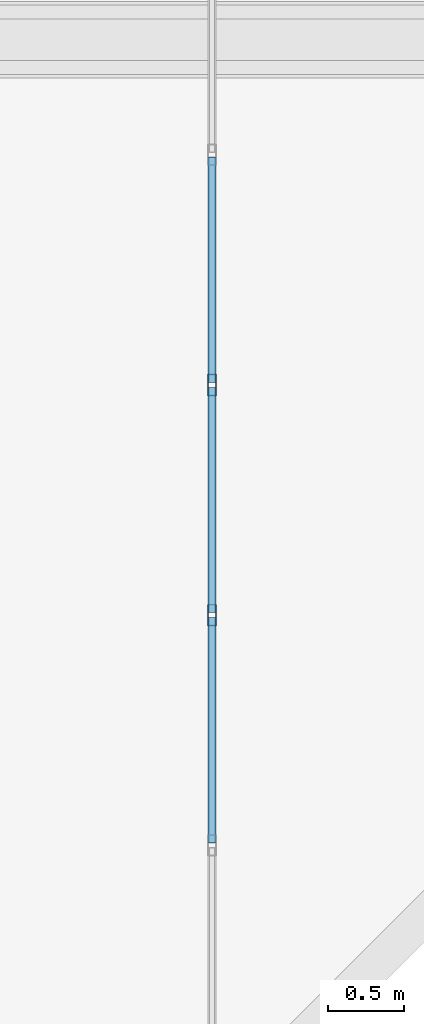
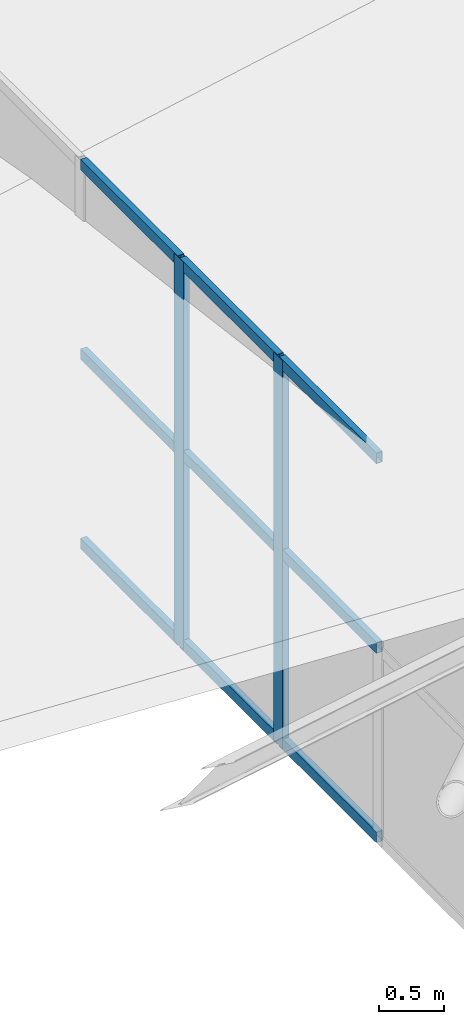
# One storey, part 216 of 397: 11 members, 1 element without a shape of its own.
"""IFC4 building model written with IfcOpenShell, lengths in metres."""

from ifc_helpers import new_model, si_unit, direction, frame, origin, origin_2d, place, context, subcontext, project, spatial, hollow_rectangle, extrude, material, material_profile, profile_set, type_object, element, aggregate, save


model = new_model("IFC4")

# Units and contexts
model_context = context("Model", 3, precision=1e-05, world=origin(), true_north=direction((0.0, 1.0)))
body_context = subcontext(model_context, "Body", "Model", "MODEL_VIEW")
ifc_project = project(units=[si_unit("LENGTHUNIT", "METRE"), si_unit("AREAUNIT", "SQUARE_METRE"), si_unit("VOLUMEUNIT", "CUBIC_METRE"), si_unit("PLANEANGLEUNIT", "RADIAN"), si_unit("MASSUNIT", "GRAM", prefix="KILO")], contexts=[model_context])

# Site, building, storey
site_placement = place(None, origin())
site = spatial("IfcSite", under=ifc_project, at=site_placement, CompositionType="ELEMENT")
building_placement = place(site_placement, origin())
building = spatial("IfcBuilding", under=site, at=building_placement, Name="Qandorah Velis Arena", CompositionType="ELEMENT")
storey_placement = place(building_placement, frame((0.0, 0.0, 27.5)))
storey = spatial("IfcBuildingStorey", under=building, at=storey_placement, Name="RF", CompositionType="ELEMENT", Elevation=27.5)

# Curtain wall, members
ifc_material_1 = material(Name="Solar-control low-E double glazing", Category="glass")
curtain_wall_type = type_object("IfcCurtainWallType", Name="ARC-CW-SYS12", PredefinedType="USERDEFINED", material=ifc_material_1)
curtain_wall_placement = place(storey_placement, origin())
curtain_wall = element("IfcCurtainWall", 1, at=curtain_wall_placement, inside=storey, type_object=curtain_wall_type, Name="Unitised curtain wall MON-1-6", ObjectType="UNITISED CURTAIN WALL", PredefinedType="USERDEFINED")
ifc_material_2 = material(Name="Champagne-bronze anodized aluminium 6063-T6", Category="aluminium")
ifc_material_profile_1 = material_profile(ifc_material_2, hollow_rectangle(XDim=0.054931640625, YDim=0.139892578125, WallThickness=0.0029296875, at=origin_2d()), Name="ALU MULLION 55x140")
ifc_profile_set_1 = profile_set([ifc_material_profile_1], Name="Champagne-bronze anodized aluminium 6063-T6")
member_type_1 = type_object("IfcMemberType", Name="ARC-CWM-140", PredefinedType="MULLION", material=ifc_profile_set_1)
member_1_placement = place(storey_placement, frame((21.60009765625, 96.994384765625, 3.5263671875), z_axis=(0.0, 0.0, 1.0), x_axis=(-1.0, 0.0, 0.0)))
member_1 = element("IfcMember", 2, at=member_1_placement, type_object=member_type_1, Name="CW12 mullion 3", PredefinedType="MULLION", context=body_context, shape_type="SweptSolid", body=[
    extrude(hollow_rectangle(XDim=0.054931640625, YDim=0.139892578125, WallThickness=0.0029296875, at=origin_2d()), origin(), (0.0, 0.0, 1.0), 3.630126953125),
])
member_2_placement = place(storey_placement, frame((21.60009765625, 98.5166015625, 3.5263671875), z_axis=(0.0, 0.0, 1.0), x_axis=(-1.0, 0.0, 0.0)))
member_2 = element("IfcMember", 3, at=member_2_placement, type_object=member_type_1, Name="CW12 mullion 4", PredefinedType="MULLION", context=body_context, shape_type="SweptSolid", body=[
    extrude(hollow_rectangle(XDim=0.054931640625, YDim=0.139892578125, WallThickness=0.0029296875, at=origin_2d()), origin(), (0.0, 0.0, 1.0), 3.630126953125),
])
ifc_material_profile_2 = material_profile(ifc_material_2, hollow_rectangle(XDim=0.054931640625, YDim=0.10009765625, WallThickness=0.0029296875, at=origin_2d()), Name="ALU TRANSOM 55x100")
ifc_profile_set_2 = profile_set([ifc_material_profile_2], Name="Champagne-bronze anodized aluminium 6063-T6")
member_type_2 = type_object("IfcMemberType", Name="ARC-CWT-100", PredefinedType="USERDEFINED", material=ifc_profile_set_2)
member_3_placement = place(storey_placement, frame((21.60009765625, 95.48779296875, 3.56884765625), z_axis=(0.0, 1.0, 0.0), x_axis=(-1.0, 0.0, 0.0)))
member_3 = element("IfcMember", 4, at=member_3_placement, type_object=member_type_2, Name="CW12 transom 2.1", ObjectType="TRANSOM", PredefinedType="USERDEFINED", context=body_context, shape_type="SweptSolid", body=[
    extrude(hollow_rectangle(XDim=0.054931640625, YDim=0.10009765625, WallThickness=0.0029296875, at=origin_2d()), origin(), (0.0, 0.0, 1.0), 1.4912109375),
])
member_4_placement = place(storey_placement, frame((21.60009765625, 95.48779296875, 5.34130859375), z_axis=(0.0, 1.0, 0.0), x_axis=(-1.0, 0.0, 0.0)))
member_4 = element("IfcMember", 5, at=member_4_placement, type_object=member_type_2, Name="CW12 transom 2.2", ObjectType="TRANSOM", PredefinedType="USERDEFINED", context=body_context, shape_type="SweptSolid", body=[
    extrude(hollow_rectangle(XDim=0.054931640625, YDim=0.10009765625, WallThickness=0.0029296875, at=origin_2d()), origin(), (0.0, 0.0, 1.0), 1.4912109375),
])
member_5_placement = place(storey_placement, frame((21.60009765625, 95.48779296875, 7.114013671875), z_axis=(0.0, 1.0, 0.0), x_axis=(-1.0, 0.0, 0.0)))
member_5 = element("IfcMember", 6, at=member_5_placement, type_object=member_type_2, Name="CW12 transom 2.3", ObjectType="TRANSOM", PredefinedType="USERDEFINED", context=body_context, shape_type="SweptSolid", body=[
    extrude(hollow_rectangle(XDim=0.054931640625, YDim=0.10009765625, WallThickness=0.0029296875, at=origin_2d()), origin(), (0.0, 0.0, 1.0), 1.4912109375),
])
member_6_placement = place(storey_placement, frame((21.60009765625, 97.010009765625, 3.56884765625), z_axis=(0.0, 1.0, 0.0), x_axis=(-1.0, 0.0, 0.0)))
member_6 = element("IfcMember", 7, at=member_6_placement, type_object=member_type_2, Name="CW12 transom 3.1", ObjectType="TRANSOM", PredefinedType="USERDEFINED", context=body_context, shape_type="SweptSolid", body=[
    extrude(hollow_rectangle(XDim=0.054931640625, YDim=0.10009765625, WallThickness=0.0029296875, at=origin_2d()), origin(), (0.0, 0.0, 1.0), 1.4912109375),
])
member_7_placement = place(storey_placement, frame((21.60009765625, 97.010009765625, 5.34130859375), z_axis=(0.0, 1.0, 0.0), x_axis=(-1.0, 0.0, 0.0)))
member_7 = element("IfcMember", 8, at=member_7_placement, type_object=member_type_2, Name="CW12 transom 3.2", ObjectType="TRANSOM", PredefinedType="USERDEFINED", context=body_context, shape_type="SweptSolid", body=[
    extrude(hollow_rectangle(XDim=0.054931640625, YDim=0.10009765625, WallThickness=0.0029296875, at=origin_2d()), origin(), (0.0, 0.0, 1.0), 1.4912109375),
])
member_8_placement = place(storey_placement, frame((21.60009765625, 97.010009765625, 7.114013671875), z_axis=(0.0, 1.0, 0.0), x_axis=(-1.0, 0.0, 0.0)))
member_8 = element("IfcMember", 9, at=member_8_placement, type_object=member_type_2, Name="CW12 transom 3.3", ObjectType="TRANSOM", PredefinedType="USERDEFINED", context=body_context, shape_type="SweptSolid", body=[
    extrude(hollow_rectangle(XDim=0.054931640625, YDim=0.10009765625, WallThickness=0.0029296875, at=origin_2d()), origin(), (0.0, 0.0, 1.0), 1.4912109375),
])
member_9_placement = place(storey_placement, frame((21.60009765625, 98.5322265625, 3.56884765625), z_axis=(0.0, 1.0, 0.0), x_axis=(-1.0, 0.0, 0.0)))
member_9 = element("IfcMember", 10, at=member_9_placement, type_object=member_type_2, Name="CW12 transom 4.1", ObjectType="TRANSOM", PredefinedType="USERDEFINED", context=body_context, shape_type="SweptSolid", body=[
    extrude(hollow_rectangle(XDim=0.054931640625, YDim=0.10009765625, WallThickness=0.0029296875, at=origin_2d()), origin(), (0.0, 0.0, 1.0), 1.4912109375),
])
member_10_placement = place(storey_placement, frame((21.60009765625, 98.5322265625, 5.34130859375), z_axis=(0.0, 1.0, 0.0), x_axis=(-1.0, 0.0, 0.0)))
member_10 = element("IfcMember", 11, at=member_10_placement, type_object=member_type_2, Name="CW12 transom 4.2", ObjectType="TRANSOM", PredefinedType="USERDEFINED", context=body_context, shape_type="SweptSolid", body=[
    extrude(hollow_rectangle(XDim=0.054931640625, YDim=0.10009765625, WallThickness=0.0029296875, at=origin_2d()), origin(), (0.0, 0.0, 1.0), 1.4912109375),
])
member_11_placement = place(storey_placement, frame((21.60009765625, 98.5322265625, 7.114013671875), z_axis=(0.0, 1.0, 0.0), x_axis=(-1.0, 0.0, 0.0)))
member_11 = element("IfcMember", 12, at=member_11_placement, type_object=member_type_2, Name="CW12 transom 4.3", ObjectType="TRANSOM", PredefinedType="USERDEFINED", context=body_context, shape_type="SweptSolid", body=[
    extrude(hollow_rectangle(XDim=0.054931640625, YDim=0.10009765625, WallThickness=0.0029296875, at=origin_2d()), origin(), (0.0, 0.0, 1.0), 1.4912109375),
])
aggregate(curtain_wall, [member_1, member_2, member_3, member_4, member_5, member_6, member_7, member_8, member_9, member_10, member_11])

save(model, "model.ifc")
